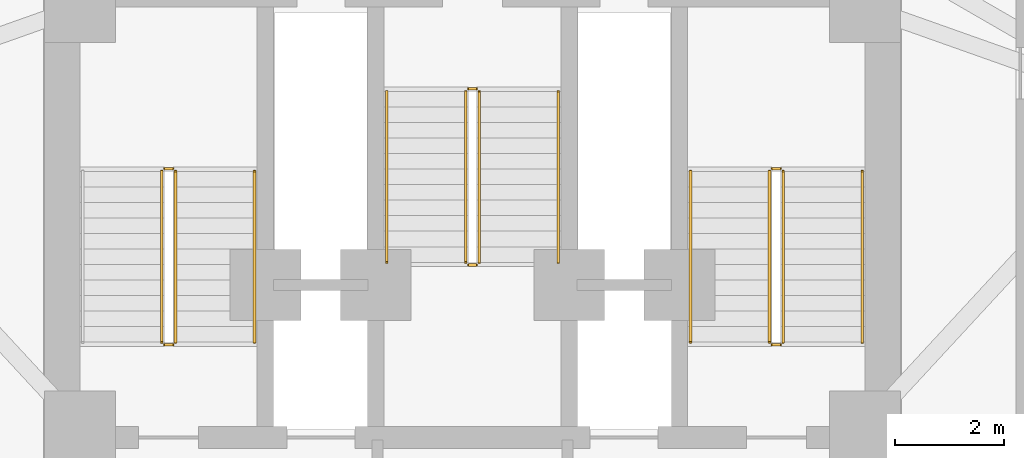
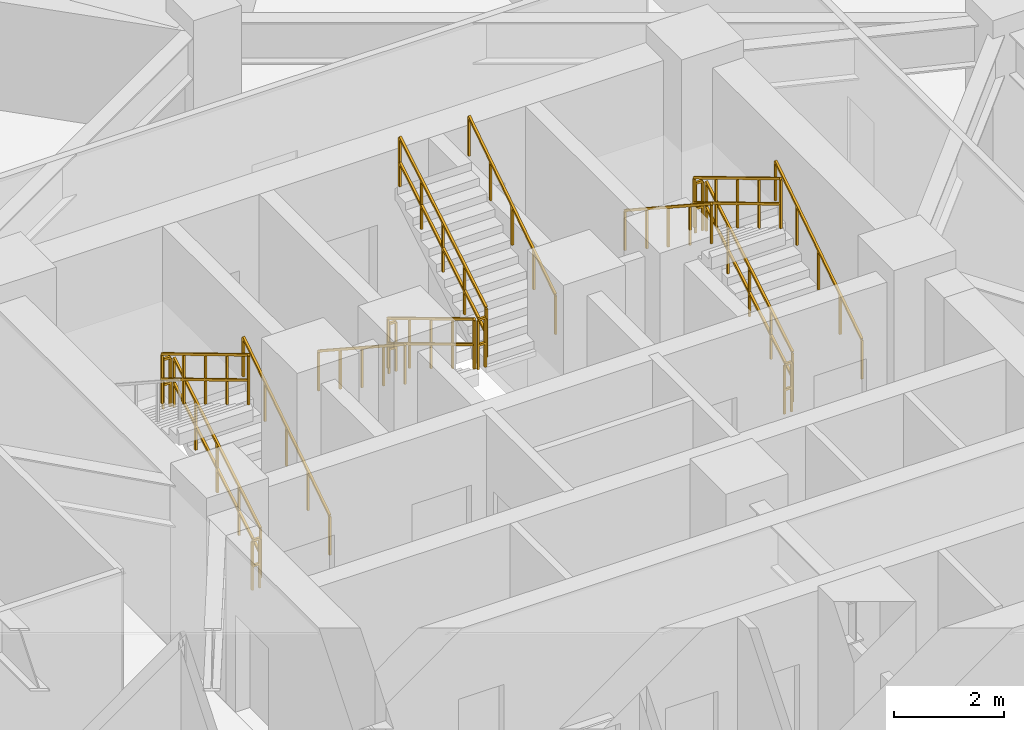
# One storey, part 13 of 14: 17 railings.
"""IFC4 building model written with IfcOpenShell, lengths in metres."""

from ifc_helpers import new_model, si_unit, direction, frame, origin, origin_2d, place, context, subcontext, project, spatial, rectangle, extrude, material, type_object, element, save


model = new_model("IFC4")

# Units and contexts
model_context = context("Model", 3, precision=1e-05, world=origin(), true_north=direction((0.0, 1.0)))
body_context = subcontext(model_context, "Body", "Model", "MODEL_VIEW")
ifc_project = project(units=[si_unit("LENGTHUNIT", "METRE"), si_unit("AREAUNIT", "SQUARE_METRE"), si_unit("VOLUMEUNIT", "CUBIC_METRE"), si_unit("PLANEANGLEUNIT", "RADIAN"), si_unit("MASSUNIT", "GRAM", prefix="KILO")], contexts=[model_context])

# Site, building, storey
site_placement = place(None, origin())
site = spatial("IfcSite", under=ifc_project, at=site_placement, CompositionType="ELEMENT")
building_placement = place(site_placement, origin())
building = spatial("IfcBuilding", under=site, at=building_placement, Name="Apsidion Concourse Tower", CompositionType="ELEMENT")
storey_placement = place(building_placement, frame((0.0, 0.0, 156.800048828125)))
storey = spatial("IfcBuildingStorey", under=building, at=storey_placement, Name="L36", CompositionType="ELEMENT", Elevation=156.800048828125)

# Railings
ifc_material = material(Name="Brushed stainless steel 316", Category="steel")
railing_type_1 = type_object("IfcRailingType", Name="RL-GUARD-1100", PredefinedType="GUARDRAIL", material=ifc_material)
railing_1_placement = place(storey_placement, frame((-5.449951171875, 3.0, 0.1708984375)))
element("IfcRailing", 1, at=railing_1_placement, inside=storey, type_object=railing_type_1, Name="L36 ST1 stair guard 1", PredefinedType="GUARDRAIL", context=body_context, shape_type="SweptSolid", body=[
    extrude(rectangle(XDim=0.048095703125, YDim=0.048095703125, at=origin_2d()), frame((0.0, 0.0, 1.09619140625), z_axis=(0.0, 0.857716804754, 0.514122439544), x_axis=(-1.0, 0.0, 0.0)), (0.0, 0.0, 1.0), 3.655029296875),
    extrude(rectangle(XDim=0.048095703125, YDim=0.048095703125, at=origin_2d()), frame((0.0, 0.0, 0.5361328125), z_axis=(0.0, 0.857716804754, 0.514122439544), x_axis=(-1.0, 0.0, 0.0)), (0.0, 0.0, 1.0), 3.655029296875),
    extrude(rectangle(XDim=0.0419921875, YDim=0.0419921875, at=origin_2d()), origin(), (0.0, 0.0, 1.0), 1.072021484375),
    extrude(rectangle(XDim=0.0419921875, YDim=0.0419921875, at=origin_2d()), frame((0.0, 0.78369140625, 0.4697265625)), (0.0, 0.0, 1.0), 1.072021484375),
    extrude(rectangle(XDim=0.0419921875, YDim=0.0419921875, at=origin_2d()), frame((0.0, 1.5673828125, 0.939453125)), (0.0, 0.0, 1.0), 1.072021484375),
    extrude(rectangle(XDim=0.0419921875, YDim=0.0419921875, at=origin_2d()), frame((0.0, 2.351318359375, 1.409423828125)), (0.0, 0.0, 1.0), 1.072021484375),
    extrude(rectangle(XDim=0.0419921875, YDim=0.0419921875, at=origin_2d()), frame((0.0, 3.135009765625, 1.879150390625)), (0.0, 0.0, 1.0), 1.072021484375),
])
railing_2_placement = place(storey_placement, frame((-5.5, 6.18505859375, 2.050048828125)))
element("IfcRailing", 2, at=railing_2_placement, inside=storey, type_object=railing_type_1, Name="L36 ST1 stair guard 2", PredefinedType="GUARDRAIL", context=body_context, shape_type="SweptSolid", body=[
    extrude(rectangle(XDim=0.048095703125, YDim=0.048095703125, at=origin_2d()), frame((0.0, 0.0, 1.09619140625), z_axis=(-1.0, 0.0, 0.0), x_axis=(0.0, -1.0, 0.0)), (0.0, 0.0, 1.0), 0.14990234375),
    extrude(rectangle(XDim=0.048095703125, YDim=0.048095703125, at=origin_2d()), frame((0.0, 0.0, 0.5361328125), z_axis=(-1.0, 0.0, 0.0), x_axis=(0.0, -1.0, 0.0)), (0.0, 0.0, 1.0), 0.14990234375),
    extrude(rectangle(XDim=0.0419921875, YDim=0.0419921875, at=origin_2d()), origin(), (0.0, 0.0, 1.0), 1.072021484375),
    extrude(rectangle(XDim=0.0419921875, YDim=0.0419921875, at=origin_2d()), frame((-0.14990234375, 0.0, 0.0)), (0.0, 0.0, 1.0), 1.072021484375),
])
railing_3_placement = place(storey_placement, frame((-5.699951171875, 6.135009765625, 2.220703125)))
element("IfcRailing", 3, at=railing_3_placement, inside=storey, type_object=railing_type_1, Name="L36 ST1 stair guard 3", PredefinedType="GUARDRAIL", context=body_context, shape_type="SweptSolid", body=[
    extrude(rectangle(XDim=0.048095703125, YDim=0.048095703125, at=origin_2d()), frame((0.0, 0.0, 1.09619140625), z_axis=(0.0, -0.857716804754, 0.514122439544), x_axis=(1.0, 0.0, 0.0)), (0.0, 0.0, 1.0), 3.655029296875),
    extrude(rectangle(XDim=0.048095703125, YDim=0.048095703125, at=origin_2d()), frame((0.0, 0.0, 0.5361328125), z_axis=(0.0, -0.857716804754, 0.514122439544), x_axis=(1.0, 0.0, 0.0)), (0.0, 0.0, 1.0), 3.655029296875),
    extrude(rectangle(XDim=0.0419921875, YDim=0.0419921875, at=origin_2d()), origin(), (0.0, 0.0, 1.0), 1.072021484375),
    extrude(rectangle(XDim=0.0419921875, YDim=0.0419921875, at=origin_2d()), frame((0.0, -0.78369140625, 0.4697265625)), (0.0, 0.0, 1.0), 1.072021484375),
    extrude(rectangle(XDim=0.0419921875, YDim=0.0419921875, at=origin_2d()), frame((0.0, -1.5673828125, 0.939453125)), (0.0, 0.0, 1.0), 1.072021484375),
    extrude(rectangle(XDim=0.0419921875, YDim=0.0419921875, at=origin_2d()), frame((0.0, -2.351318359375, 1.409423828125)), (0.0, 0.0, 1.0), 1.072021484375),
    extrude(rectangle(XDim=0.0419921875, YDim=0.0419921875, at=origin_2d()), frame((0.0, -3.135009765625, 1.879150390625)), (0.0, 0.0, 1.0), 1.072021484375),
])
railing_4_placement = place(storey_placement, frame((-5.5, 2.949951171875, 0.0)))
element("IfcRailing", 4, at=railing_4_placement, inside=storey, type_object=railing_type_1, Name="L36 ST1 stair guard 4", PredefinedType="GUARDRAIL", context=body_context, shape_type="SweptSolid", body=[
    extrude(rectangle(XDim=0.048095703125, YDim=0.048095703125, at=origin_2d()), frame((0.0, 0.0, 1.09619140625), z_axis=(-1.0, 0.0, 0.0), x_axis=(0.0, -1.0, 0.0)), (0.0, 0.0, 1.0), 0.14990234375),
    extrude(rectangle(XDim=0.048095703125, YDim=0.048095703125, at=origin_2d()), frame((0.0, 0.0, 0.5361328125), z_axis=(-1.0, 0.0, 0.0), x_axis=(0.0, -1.0, 0.0)), (0.0, 0.0, 1.0), 0.14990234375),
    extrude(rectangle(XDim=0.0419921875, YDim=0.0419921875, at=origin_2d()), origin(), (0.0, 0.0, 1.0), 1.072021484375),
    extrude(rectangle(XDim=0.0419921875, YDim=0.0419921875, at=origin_2d()), frame((-0.14990234375, 0.0, 0.0)), (0.0, 0.0, 1.0), 1.072021484375),
])
railing_5_placement = place(storey_placement, frame((5.699951171875, 3.0, 0.1708984375)))
element("IfcRailing", 5, at=railing_5_placement, inside=storey, type_object=railing_type_1, Name="L36 ST2 stair guard 1", PredefinedType="GUARDRAIL", context=body_context, shape_type="SweptSolid", body=[
    extrude(rectangle(XDim=0.048095703125, YDim=0.048095703125, at=origin_2d()), frame((0.0, 0.0, 1.09619140625), z_axis=(0.0, 0.857716804754, 0.514122439544), x_axis=(-1.0, 0.0, 0.0)), (0.0, 0.0, 1.0), 3.655029296875),
    extrude(rectangle(XDim=0.048095703125, YDim=0.048095703125, at=origin_2d()), frame((0.0, 0.0, 0.5361328125), z_axis=(0.0, 0.857716804754, 0.514122439544), x_axis=(-1.0, 0.0, 0.0)), (0.0, 0.0, 1.0), 3.655029296875),
    extrude(rectangle(XDim=0.0419921875, YDim=0.0419921875, at=origin_2d()), origin(), (0.0, 0.0, 1.0), 1.072021484375),
    extrude(rectangle(XDim=0.0419921875, YDim=0.0419921875, at=origin_2d()), frame((0.0, 0.78369140625, 0.4697265625)), (0.0, 0.0, 1.0), 1.072021484375),
    extrude(rectangle(XDim=0.0419921875, YDim=0.0419921875, at=origin_2d()), frame((0.0, 1.5673828125, 0.939453125)), (0.0, 0.0, 1.0), 1.072021484375),
    extrude(rectangle(XDim=0.0419921875, YDim=0.0419921875, at=origin_2d()), frame((0.0, 2.351318359375, 1.409423828125)), (0.0, 0.0, 1.0), 1.072021484375),
    extrude(rectangle(XDim=0.0419921875, YDim=0.0419921875, at=origin_2d()), frame((0.0, 3.135009765625, 1.879150390625)), (0.0, 0.0, 1.0), 1.072021484375),
])
railing_6_placement = place(storey_placement, frame((5.64990234375, 6.18505859375, 2.050048828125)))
element("IfcRailing", 6, at=railing_6_placement, inside=storey, type_object=railing_type_1, Name="L36 ST2 stair guard 2", PredefinedType="GUARDRAIL", context=body_context, shape_type="SweptSolid", body=[
    extrude(rectangle(XDim=0.048095703125, YDim=0.048095703125, at=origin_2d()), frame((0.0, 0.0, 1.09619140625), z_axis=(-1.0, 0.0, 0.0), x_axis=(0.0, -1.0, 0.0)), (0.0, 0.0, 1.0), 0.14990234375),
    extrude(rectangle(XDim=0.048095703125, YDim=0.048095703125, at=origin_2d()), frame((0.0, 0.0, 0.5361328125), z_axis=(-1.0, 0.0, 0.0), x_axis=(0.0, -1.0, 0.0)), (0.0, 0.0, 1.0), 0.14990234375),
    extrude(rectangle(XDim=0.0419921875, YDim=0.0419921875, at=origin_2d()), origin(), (0.0, 0.0, 1.0), 1.072021484375),
    extrude(rectangle(XDim=0.0419921875, YDim=0.0419921875, at=origin_2d()), frame((-0.14990234375, 0.0, 0.0)), (0.0, 0.0, 1.0), 1.072021484375),
])
railing_7_placement = place(storey_placement, frame((5.449951171875, 6.135009765625, 2.220703125)))
element("IfcRailing", 7, at=railing_7_placement, inside=storey, type_object=railing_type_1, Name="L36 ST2 stair guard 3", PredefinedType="GUARDRAIL", context=body_context, shape_type="SweptSolid", body=[
    extrude(rectangle(XDim=0.048095703125, YDim=0.048095703125, at=origin_2d()), frame((0.0, 0.0, 1.09619140625), z_axis=(0.0, -0.857716804754, 0.514122439544), x_axis=(1.0, 0.0, 0.0)), (0.0, 0.0, 1.0), 3.655029296875),
    extrude(rectangle(XDim=0.048095703125, YDim=0.048095703125, at=origin_2d()), frame((0.0, 0.0, 0.5361328125), z_axis=(0.0, -0.857716804754, 0.514122439544), x_axis=(1.0, 0.0, 0.0)), (0.0, 0.0, 1.0), 3.655029296875),
    extrude(rectangle(XDim=0.0419921875, YDim=0.0419921875, at=origin_2d()), origin(), (0.0, 0.0, 1.0), 1.072021484375),
    extrude(rectangle(XDim=0.0419921875, YDim=0.0419921875, at=origin_2d()), frame((0.0, -0.78369140625, 0.4697265625)), (0.0, 0.0, 1.0), 1.072021484375),
    extrude(rectangle(XDim=0.0419921875, YDim=0.0419921875, at=origin_2d()), frame((0.0, -1.5673828125, 0.939453125)), (0.0, 0.0, 1.0), 1.072021484375),
    extrude(rectangle(XDim=0.0419921875, YDim=0.0419921875, at=origin_2d()), frame((0.0, -2.351318359375, 1.409423828125)), (0.0, 0.0, 1.0), 1.072021484375),
    extrude(rectangle(XDim=0.0419921875, YDim=0.0419921875, at=origin_2d()), frame((0.0, -3.135009765625, 1.879150390625)), (0.0, 0.0, 1.0), 1.072021484375),
])
railing_8_placement = place(storey_placement, frame((5.64990234375, 2.949951171875, 0.0)))
element("IfcRailing", 8, at=railing_8_placement, inside=storey, type_object=railing_type_1, Name="L36 ST2 stair guard 4", PredefinedType="GUARDRAIL", context=body_context, shape_type="SweptSolid", body=[
    extrude(rectangle(XDim=0.048095703125, YDim=0.048095703125, at=origin_2d()), frame((0.0, 0.0, 1.09619140625), z_axis=(-1.0, 0.0, 0.0), x_axis=(0.0, -1.0, 0.0)), (0.0, 0.0, 1.0), 0.14990234375),
    extrude(rectangle(XDim=0.048095703125, YDim=0.048095703125, at=origin_2d()), frame((0.0, 0.0, 0.5361328125), z_axis=(-1.0, 0.0, 0.0), x_axis=(0.0, -1.0, 0.0)), (0.0, 0.0, 1.0), 0.14990234375),
    extrude(rectangle(XDim=0.0419921875, YDim=0.0419921875, at=origin_2d()), origin(), (0.0, 0.0, 1.0), 1.072021484375),
    extrude(rectangle(XDim=0.0419921875, YDim=0.0419921875, at=origin_2d()), frame((-0.14990234375, 0.0, 0.0)), (0.0, 0.0, 1.0), 1.072021484375),
])
railing_9_placement = place(storey_placement, frame((-0.125, 7.60009765625, 0.1708984375)))
element("IfcRailing", 9, at=railing_9_placement, inside=storey, type_object=railing_type_1, Name="L36 ST3 stair guard 1", PredefinedType="GUARDRAIL", context=body_context, shape_type="SweptSolid", body=[
    extrude(rectangle(XDim=0.048095703125, YDim=0.048095703125, at=origin_2d()), frame((0.0, 0.0, 1.09619140625), z_axis=(0.0, -0.857716804754, 0.514122439544), x_axis=(1.0, 0.0, 0.0)), (0.0, 0.0, 1.0), 3.655029296875),
    extrude(rectangle(XDim=0.048095703125, YDim=0.048095703125, at=origin_2d()), frame((0.0, 0.0, 0.5361328125), z_axis=(0.0, -0.857716804754, 0.514122439544), x_axis=(1.0, 0.0, 0.0)), (0.0, 0.0, 1.0), 3.655029296875),
    extrude(rectangle(XDim=0.0419921875, YDim=0.0419921875, at=origin_2d()), origin(), (0.0, 0.0, 1.0), 1.072021484375),
    extrude(rectangle(XDim=0.0419921875, YDim=0.0419921875, at=origin_2d()), frame((0.0, -0.78369140625, 0.4697265625)), (0.0, 0.0, 1.0), 1.072021484375),
    extrude(rectangle(XDim=0.0419921875, YDim=0.0419921875, at=origin_2d()), frame((0.0, -1.5673828125, 0.939453125)), (0.0, 0.0, 1.0), 1.072021484375),
    extrude(rectangle(XDim=0.0419921875, YDim=0.0419921875, at=origin_2d()), frame((0.0, -2.351318359375, 1.409423828125)), (0.0, 0.0, 1.0), 1.072021484375),
    extrude(rectangle(XDim=0.0419921875, YDim=0.0419921875, at=origin_2d()), frame((0.0, -3.135009765625, 1.879150390625)), (0.0, 0.0, 1.0), 1.072021484375),
])
railing_10_placement = place(storey_placement, frame((-0.074951171875, 4.4150390625, 2.050048828125)))
element("IfcRailing", 10, at=railing_10_placement, inside=storey, type_object=railing_type_1, Name="L36 ST3 stair guard 2", PredefinedType="GUARDRAIL", context=body_context, shape_type="SweptSolid", body=[
    extrude(rectangle(XDim=0.048095703125, YDim=0.048095703125, at=origin_2d()), frame((0.0, 0.0, 1.09619140625), z_axis=(1.0, 0.0, 0.0), x_axis=(0.0, 1.0, 0.0)), (0.0, 0.0, 1.0), 0.14990234375),
    extrude(rectangle(XDim=0.048095703125, YDim=0.048095703125, at=origin_2d()), frame((0.0, 0.0, 0.5361328125), z_axis=(1.0, 0.0, 0.0), x_axis=(0.0, 1.0, 0.0)), (0.0, 0.0, 1.0), 0.14990234375),
    extrude(rectangle(XDim=0.0419921875, YDim=0.0419921875, at=origin_2d()), origin(), (0.0, 0.0, 1.0), 1.072021484375),
    extrude(rectangle(XDim=0.0419921875, YDim=0.0419921875, at=origin_2d()), frame((0.14990234375, 0.0, 0.0)), (0.0, 0.0, 1.0), 1.072021484375),
])
railing_11_placement = place(storey_placement, frame((0.125, 4.465087890625, 2.220703125)))
element("IfcRailing", 11, at=railing_11_placement, inside=storey, type_object=railing_type_1, Name="L36 ST3 stair guard 3", PredefinedType="GUARDRAIL", context=body_context, shape_type="SweptSolid", body=[
    extrude(rectangle(XDim=0.048095703125, YDim=0.048095703125, at=origin_2d()), frame((0.0, 0.0, 1.09619140625), z_axis=(0.0, 0.857716804754, 0.514122439544), x_axis=(-1.0, 0.0, 0.0)), (0.0, 0.0, 1.0), 3.655029296875),
    extrude(rectangle(XDim=0.048095703125, YDim=0.048095703125, at=origin_2d()), frame((0.0, 0.0, 0.5361328125), z_axis=(0.0, 0.857716804754, 0.514122439544), x_axis=(-1.0, 0.0, 0.0)), (0.0, 0.0, 1.0), 3.655029296875),
    extrude(rectangle(XDim=0.0419921875, YDim=0.0419921875, at=origin_2d()), origin(), (0.0, 0.0, 1.0), 1.072021484375),
    extrude(rectangle(XDim=0.0419921875, YDim=0.0419921875, at=origin_2d()), frame((0.0, 0.78369140625, 0.4697265625)), (0.0, 0.0, 1.0), 1.072021484375),
    extrude(rectangle(XDim=0.0419921875, YDim=0.0419921875, at=origin_2d()), frame((0.0, 1.5673828125, 0.939453125)), (0.0, 0.0, 1.0), 1.072021484375),
    extrude(rectangle(XDim=0.0419921875, YDim=0.0419921875, at=origin_2d()), frame((0.0, 2.351318359375, 1.409423828125)), (0.0, 0.0, 1.0), 1.072021484375),
    extrude(rectangle(XDim=0.0419921875, YDim=0.0419921875, at=origin_2d()), frame((0.0, 3.135009765625, 1.879150390625)), (0.0, 0.0, 1.0), 1.072021484375),
])
railing_12_placement = place(storey_placement, frame((-0.074951171875, 7.64990234375, 0.0)))
element("IfcRailing", 12, at=railing_12_placement, inside=storey, type_object=railing_type_1, Name="L36 ST3 stair guard 4", PredefinedType="GUARDRAIL", context=body_context, shape_type="SweptSolid", body=[
    extrude(rectangle(XDim=0.048095703125, YDim=0.048095703125, at=origin_2d()), frame((0.0, 0.0, 1.09619140625), z_axis=(1.0, 0.0, 0.0), x_axis=(0.0, 1.0, 0.0)), (0.0, 0.0, 1.0), 0.14990234375),
    extrude(rectangle(XDim=0.048095703125, YDim=0.048095703125, at=origin_2d()), frame((0.0, 0.0, 0.5361328125), z_axis=(1.0, 0.0, 0.0), x_axis=(0.0, 1.0, 0.0)), (0.0, 0.0, 1.0), 0.14990234375),
    extrude(rectangle(XDim=0.0419921875, YDim=0.0419921875, at=origin_2d()), origin(), (0.0, 0.0, 1.0), 1.072021484375),
    extrude(rectangle(XDim=0.0419921875, YDim=0.0419921875, at=origin_2d()), frame((0.14990234375, 0.0, 0.0)), (0.0, 0.0, 1.0), 1.072021484375),
])
railing_type_2 = type_object("IfcRailingType", Name="RL-HAND-900", PredefinedType="HANDRAIL", material=ifc_material)
for number, where, name in (
    (13, (-4.0, 3.0, 0.1708984375), "L36 ST1 stair handrail 1"),
    (14, (7.14990234375, 3.0, 0.1708984375), "L36 ST2 stair handrail 1"),
):
    element("IfcRailing", number, at=place(storey_placement, frame(where)), inside=storey, type_object=railing_type_2, Name=name, PredefinedType="HANDRAIL", context=body_context, shape_type="SweptSolid", body=[
        extrude(rectangle(XDim=0.048095703125, YDim=0.048095703125, at=origin_2d()), frame((0.0, 0.0, 0.8759765625), z_axis=(0.0, 0.836970762213, 0.547247606848), x_axis=(-1.0, 0.0, 0.0)), (0.0, 0.0, 1.0), 3.74560546875),
        extrude(rectangle(XDim=0.0419921875, YDim=0.0419921875, at=origin_2d()), origin(), (0.0, 0.0, 1.0), 0.851806640625),
        extrude(rectangle(XDim=0.0419921875, YDim=0.0419921875, at=origin_2d()), frame((0.0, 0.78369140625, 0.512451171875)), (0.0, 0.0, 1.0), 0.851806640625),
        extrude(rectangle(XDim=0.0419921875, YDim=0.0419921875, at=origin_2d()), frame((0.0, 1.5673828125, 1.02490234375)), (0.0, 0.0, 1.0), 0.851806640625),
        extrude(rectangle(XDim=0.0419921875, YDim=0.0419921875, at=origin_2d()), frame((0.0, 2.351318359375, 1.537353515625)), (0.0, 0.0, 1.0), 0.851806640625),
        extrude(rectangle(XDim=0.0419921875, YDim=0.0419921875, at=origin_2d()), frame((0.0, 3.135009765625, 2.0498046875)), (0.0, 0.0, 1.0), 0.851806640625),
    ])
railing_13_placement = place(storey_placement, frame((4.0, 6.135009765625, 2.220703125)))
element("IfcRailing", 15, at=railing_13_placement, inside=storey, type_object=railing_type_2, Name="L36 ST2 stair handrail 2", PredefinedType="HANDRAIL", context=body_context, shape_type="SweptSolid", body=[
    extrude(rectangle(XDim=0.048095703125, YDim=0.048095703125, at=origin_2d()), frame((0.0, 0.0, 0.8759765625), z_axis=(0.0, -0.836940907821, 0.547293263996), x_axis=(1.0, 0.0, 0.0)), (0.0, 0.0, 1.0), 3.745849609375),
    extrude(rectangle(XDim=0.0419921875, YDim=0.0419921875, at=origin_2d()), origin(), (0.0, 0.0, 1.0), 0.851806640625),
    extrude(rectangle(XDim=0.0419921875, YDim=0.0419921875, at=origin_2d()), frame((0.0, -0.78369140625, 0.512451171875)), (0.0, 0.0, 1.0), 0.851806640625),
    extrude(rectangle(XDim=0.0419921875, YDim=0.0419921875, at=origin_2d()), frame((0.0, -1.5673828125, 1.02490234375)), (0.0, 0.0, 1.0), 0.851806640625),
    extrude(rectangle(XDim=0.0419921875, YDim=0.0419921875, at=origin_2d()), frame((0.0, -2.351318359375, 1.53759765625)), (0.0, 0.0, 1.0), 0.851806640625),
    extrude(rectangle(XDim=0.0419921875, YDim=0.0419921875, at=origin_2d()), frame((0.0, -3.135009765625, 2.050048828125)), (0.0, 0.0, 1.0), 0.851806640625),
])
railing_14_placement = place(storey_placement, frame((-1.574951171875, 7.60009765625, 0.1708984375)))
element("IfcRailing", 16, at=railing_14_placement, inside=storey, type_object=railing_type_2, Name="L36 ST3 stair handrail 1", PredefinedType="HANDRAIL", context=body_context, shape_type="SweptSolid", body=[
    extrude(rectangle(XDim=0.048095703125, YDim=0.048095703125, at=origin_2d()), frame((0.0, 0.0, 0.8759765625), z_axis=(0.0, -0.836970762213, 0.547247606848), x_axis=(1.0, 0.0, 0.0)), (0.0, 0.0, 1.0), 3.74560546875),
    extrude(rectangle(XDim=0.0419921875, YDim=0.0419921875, at=origin_2d()), origin(), (0.0, 0.0, 1.0), 0.851806640625),
    extrude(rectangle(XDim=0.0419921875, YDim=0.0419921875, at=origin_2d()), frame((0.0, -0.78369140625, 0.512451171875)), (0.0, 0.0, 1.0), 0.851806640625),
    extrude(rectangle(XDim=0.0419921875, YDim=0.0419921875, at=origin_2d()), frame((0.0, -1.5673828125, 1.02490234375)), (0.0, 0.0, 1.0), 0.851806640625),
    extrude(rectangle(XDim=0.0419921875, YDim=0.0419921875, at=origin_2d()), frame((0.0, -2.351318359375, 1.537353515625)), (0.0, 0.0, 1.0), 0.851806640625),
    extrude(rectangle(XDim=0.0419921875, YDim=0.0419921875, at=origin_2d()), frame((0.0, -3.135009765625, 2.0498046875)), (0.0, 0.0, 1.0), 0.851806640625),
])
railing_15_placement = place(storey_placement, frame((1.574951171875, 4.465087890625, 2.220703125)))
element("IfcRailing", 17, at=railing_15_placement, inside=storey, type_object=railing_type_2, Name="L36 ST3 stair handrail 2", PredefinedType="HANDRAIL", context=body_context, shape_type="SweptSolid", body=[
    extrude(rectangle(XDim=0.048095703125, YDim=0.048095703125, at=origin_2d()), frame((0.0, 0.0, 0.8759765625), z_axis=(0.0, 0.836940907821, 0.547293263996), x_axis=(-1.0, 0.0, 0.0)), (0.0, 0.0, 1.0), 3.745849609375),
    extrude(rectangle(XDim=0.0419921875, YDim=0.0419921875, at=origin_2d()), origin(), (0.0, 0.0, 1.0), 0.851806640625),
    extrude(rectangle(XDim=0.0419921875, YDim=0.0419921875, at=origin_2d()), frame((0.0, 0.78369140625, 0.512451171875)), (0.0, 0.0, 1.0), 0.851806640625),
    extrude(rectangle(XDim=0.0419921875, YDim=0.0419921875, at=origin_2d()), frame((0.0, 1.5673828125, 1.02490234375)), (0.0, 0.0, 1.0), 0.851806640625),
    extrude(rectangle(XDim=0.0419921875, YDim=0.0419921875, at=origin_2d()), frame((0.0, 2.351318359375, 1.53759765625)), (0.0, 0.0, 1.0), 0.851806640625),
    extrude(rectangle(XDim=0.0419921875, YDim=0.0419921875, at=origin_2d()), frame((0.0, 3.135009765625, 2.050048828125)), (0.0, 0.0, 1.0), 0.851806640625),
])

save(model, "model.ifc")
